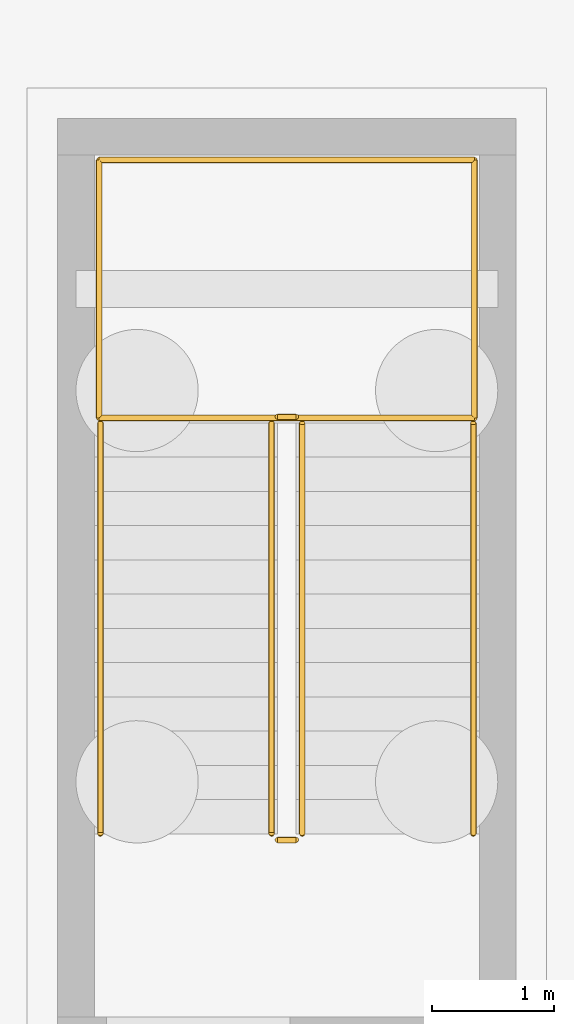
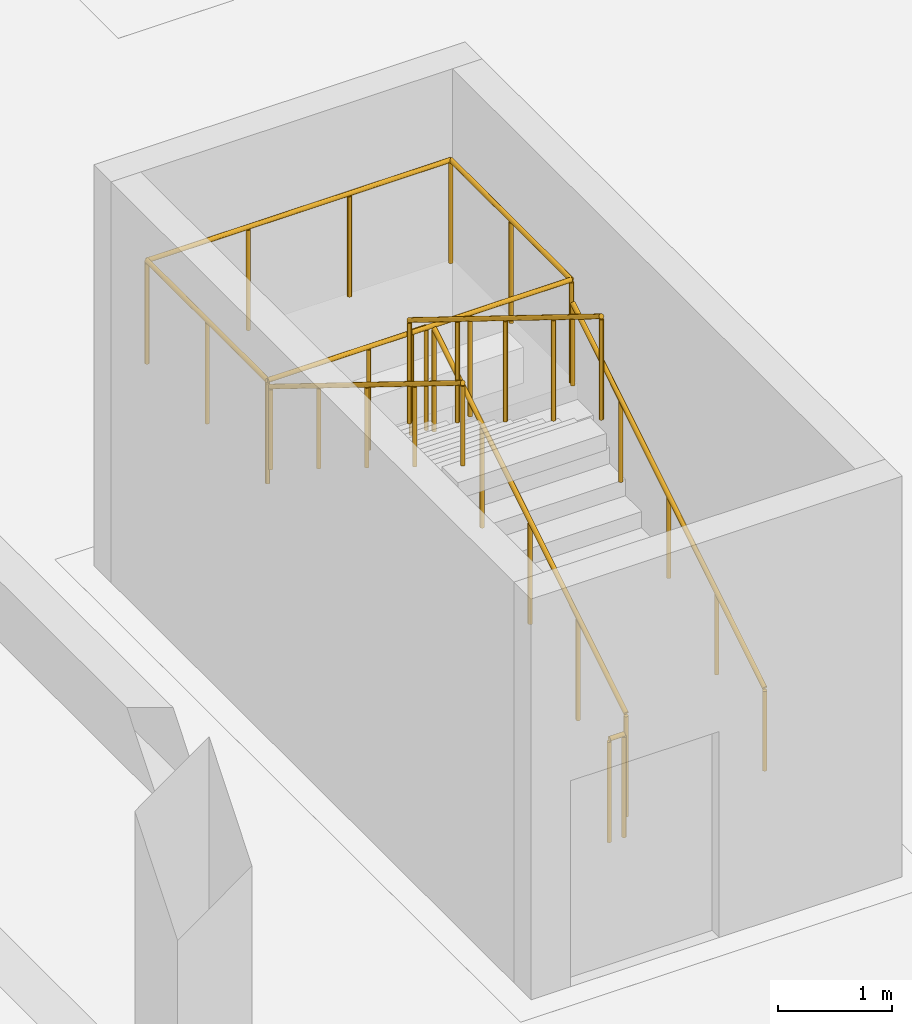
# One storey, part 23 of 28: 8 railings.
"""IFC4 building model written with IfcOpenShell, lengths in metres."""

from ifc_helpers import new_model, si_unit, direction, frame, origin, origin_2d, place, context, subcontext, project, spatial, circle, extrude, material, type_object, element, save


model = new_model("IFC4")

# Units and contexts
model_context = context("Model", 3, precision=1e-05, world=origin(), true_north=direction((0.0, 1.0)))
body_context = subcontext(model_context, "Body", "Model", "MODEL_VIEW")
ifc_project = project(units=[si_unit("LENGTHUNIT", "METRE"), si_unit("AREAUNIT", "SQUARE_METRE"), si_unit("VOLUMEUNIT", "CUBIC_METRE"), si_unit("PLANEANGLEUNIT", "RADIAN"), si_unit("MASSUNIT", "GRAM", prefix="KILO")], contexts=[model_context])

# Site, building, storey
site_placement = place(None, origin())
site = spatial("IfcSite", under=ifc_project, at=site_placement, CompositionType="ELEMENT")
building_placement = place(site_placement, origin())
building = spatial("IfcBuilding", under=site, at=building_placement, Name="Miralva Faculty of Natural Sciences", CompositionType="ELEMENT")
storey_placement = place(building_placement, frame((0.0, 0.0, -4.5)))
storey = spatial("IfcBuildingStorey", under=building, at=storey_placement, Name="B1", CompositionType="ELEMENT", Elevation=-4.5)

# Railings
ifc_material = material(Name="Steel S355", Category="steel")
railing_type_1 = type_object("IfcRailingType", Name="RL-GR01", PredefinedType="GUARDRAIL", material=ifc_material)
railing_1_placement = place(storey_placement, frame((62.10009765625, 20.300048828125, 0.173095703125)))
element("IfcRailing", 1, at=railing_1_placement, inside=storey, type_object=railing_type_1, Name="Stair Core C6 safety guard B1-1", PredefinedType="GUARDRAIL", context=body_context, shape_type="SweptSolid", body=[
    extrude(circle(Radius=0.02392578125, at=origin_2d()), frame((0.0, 0.0, 1.09619140625), z_axis=(0.0, 0.850606129759, 0.525803396734), x_axis=(-1.0, 0.0, 0.0)), (0.0, 0.0, 1.0), 3.949951171875),
    extrude(circle(Radius=0.02099609375, at=origin_2d()), origin(), (0.0, 0.0, 1.0), 1.072021484375),
    extrude(circle(Radius=0.02099609375, at=origin_2d()), frame((0.0, 0.83984375, 0.519287109375)), (0.0, 0.0, 1.0), 1.072021484375),
    extrude(circle(Radius=0.02099609375, at=origin_2d()), frame((0.0, 1.679931640625, 1.03857421875)), (0.0, 0.0, 1.0), 1.072021484375),
    extrude(circle(Radius=0.02099609375, at=origin_2d()), frame((0.0, 2.52001953125, 1.5576171875)), (0.0, 0.0, 1.0), 1.072021484375),
    extrude(circle(Radius=0.02099609375, at=origin_2d()), frame((0.0, 3.35986328125, 2.076904296875)), (0.0, 0.0, 1.0), 1.072021484375),
])
railing_2_placement = place(storey_placement, frame((62.050048828125, 23.7099609375, 2.25)))
element("IfcRailing", 2, at=railing_2_placement, inside=storey, type_object=railing_type_1, Name="Stair Core C6 safety guard B1-2", PredefinedType="GUARDRAIL", context=body_context, shape_type="SweptSolid", body=[
    extrude(circle(Radius=0.02392578125, at=origin_2d()), frame((0.0, 0.0, 1.09619140625), z_axis=(-1.0, 0.0, 0.0), x_axis=(0.0, -1.0, 0.0)), (0.0, 0.0, 1.0), 0.150146484375),
    extrude(circle(Radius=0.02099609375, at=origin_2d()), origin(), (0.0, 0.0, 1.0), 1.072021484375),
    extrude(circle(Radius=0.02099609375, at=origin_2d()), frame((-0.150146484375, 0.0, 0.0)), (0.0, 0.0, 1.0), 1.072021484375),
])
railing_3_placement = place(storey_placement, frame((61.85009765625, 23.659912109375, 2.423095703125)))
element("IfcRailing", 3, at=railing_3_placement, inside=storey, type_object=railing_type_1, Name="Stair Core C6 safety guard B1-3", PredefinedType="GUARDRAIL", context=body_context, shape_type="SweptSolid", body=[
    extrude(circle(Radius=0.02392578125, at=origin_2d()), frame((0.0, 0.0, 1.09619140625), z_axis=(0.0, -0.850606129759, 0.525803396734), x_axis=(1.0, 0.0, 0.0)), (0.0, 0.0, 1.0), 3.949951171875),
    extrude(circle(Radius=0.02099609375, at=origin_2d()), origin(), (0.0, 0.0, 1.0), 1.072021484375),
    extrude(circle(Radius=0.02099609375, at=origin_2d()), frame((0.0, -0.83984375, 0.519287109375)), (0.0, 0.0, 1.0), 1.072021484375),
    extrude(circle(Radius=0.02099609375, at=origin_2d()), frame((0.0, -1.679931640625, 1.03857421875)), (0.0, 0.0, 1.0), 1.072021484375),
    extrude(circle(Radius=0.02099609375, at=origin_2d()), frame((0.0, -2.52001953125, 1.5576171875)), (0.0, 0.0, 1.0), 1.072021484375),
    extrude(circle(Radius=0.02099609375, at=origin_2d()), frame((0.0, -3.35986328125, 2.076904296875)), (0.0, 0.0, 1.0), 1.072021484375),
])
railing_4_placement = place(storey_placement, frame((62.050048828125, 20.25, 0.0)))
element("IfcRailing", 4, at=railing_4_placement, inside=storey, type_object=railing_type_1, Name="Stair Core C6 safety guard B1-4", PredefinedType="GUARDRAIL", context=body_context, shape_type="SweptSolid", body=[
    extrude(circle(Radius=0.02392578125, at=origin_2d()), frame((0.0, 0.0, 1.09619140625), z_axis=(-1.0, 0.0, 0.0), x_axis=(0.0, -1.0, 0.0)), (0.0, 0.0, 1.0), 0.150146484375),
    extrude(circle(Radius=0.02099609375, at=origin_2d()), origin(), (0.0, 0.0, 1.0), 1.072021484375),
    extrude(circle(Radius=0.02099609375, at=origin_2d()), frame((-0.150146484375, 0.0, 0.0)), (0.0, 0.0, 1.0), 1.072021484375),
])
railing_5_placement = place(storey_placement, frame((60.43994140625, 23.699951171875, 2.25)))
element("IfcRailing", 5, at=railing_5_placement, inside=storey, type_object=railing_type_1, Name="Stair Core C6 half-landing guard B1-1A", PredefinedType="GUARDRAIL", context=body_context, shape_type="SweptSolid", body=[
    extrude(circle(Radius=0.02392578125, at=origin_2d()), frame((0.0, 0.0, 1.09619140625), z_axis=(0.0, 1.0, 0.0), x_axis=(-1.0, 0.0, 0.0)), (0.0, 0.0, 1.0), 2.110107421875),
    extrude(circle(Radius=0.02392578125, at=origin_2d()), frame((0.0, 2.110107421875, 1.09619140625), z_axis=(1.0, 0.0, 0.0), x_axis=(0.0, 1.0, 0.0)), (0.0, 0.0, 1.0), 3.070068359375),
    extrude(circle(Radius=0.02099609375, at=origin_2d()), origin(), (0.0, 0.0, 1.0), 1.072021484375),
    extrude(circle(Radius=0.02099609375, at=origin_2d()), frame((0.0, 1.05517578125, 0.0)), (0.0, 0.0, 1.0), 1.072021484375),
    extrude(circle(Radius=0.02099609375, at=origin_2d()), frame((0.0, 2.110107421875, 0.0)), (0.0, 0.0, 1.0), 1.072021484375),
    extrude(circle(Radius=0.02099609375, at=origin_2d()), frame((1.0234375, 2.110107421875, 0.0)), (0.0, 0.0, 1.0), 1.072021484375),
    extrude(circle(Radius=0.02099609375, at=origin_2d()), frame((2.046630859375, 2.110107421875, 0.0)), (0.0, 0.0, 1.0), 1.072021484375),
    extrude(circle(Radius=0.02099609375, at=origin_2d()), frame((3.070068359375, 2.110107421875, 0.0)), (0.0, 0.0, 1.0), 1.072021484375),
])
railing_6_placement = place(storey_placement, frame((63.510009765625, 25.81005859375, 2.25)))
element("IfcRailing", 6, at=railing_6_placement, inside=storey, type_object=railing_type_1, Name="Stair Core C6 half-landing guard B1-1B", PredefinedType="GUARDRAIL", context=body_context, shape_type="SweptSolid", body=[
    extrude(circle(Radius=0.02392578125, at=origin_2d()), frame((0.0, 0.0, 1.09619140625), z_axis=(0.0, -1.0, 0.0), x_axis=(1.0, 0.0, 0.0)), (0.0, 0.0, 1.0), 2.110107421875),
    extrude(circle(Radius=0.02392578125, at=origin_2d()), frame((0.0, -2.110107421875, 1.09619140625), z_axis=(-1.0, 0.0, 0.0), x_axis=(0.0, -1.0, 0.0)), (0.0, 0.0, 1.0), 3.070068359375),
    extrude(circle(Radius=0.02099609375, at=origin_2d()), origin(), (0.0, 0.0, 1.0), 1.072021484375),
    extrude(circle(Radius=0.02099609375, at=origin_2d()), frame((0.0, -1.05517578125, 0.0)), (0.0, 0.0, 1.0), 1.072021484375),
    extrude(circle(Radius=0.02099609375, at=origin_2d()), frame((0.0, -2.110107421875, 0.0)), (0.0, 0.0, 1.0), 1.072021484375),
    extrude(circle(Radius=0.02099609375, at=origin_2d()), frame((-1.0234375, -2.110107421875, 0.0)), (0.0, 0.0, 1.0), 1.072021484375),
    extrude(circle(Radius=0.02099609375, at=origin_2d()), frame((-2.046630859375, -2.110107421875, 0.0)), (0.0, 0.0, 1.0), 1.072021484375),
    extrude(circle(Radius=0.02099609375, at=origin_2d()), frame((-3.070068359375, -2.110107421875, 0.0)), (0.0, 0.0, 1.0), 1.072021484375),
])
railing_type_2 = type_object("IfcRailingType", Name="RL-HR01", PredefinedType="HANDRAIL", material=ifc_material)
railing_7_placement = place(storey_placement, frame((63.5, 20.300048828125, 0.173095703125)))
element("IfcRailing", 7, at=railing_7_placement, inside=storey, type_object=railing_type_2, Name="Stair Core C6 handrail B1-1", PredefinedType="HANDRAIL", context=body_context, shape_type="SweptSolid", body=[
    extrude(circle(Radius=0.02392578125, at=origin_2d()), frame((0.0, 0.0, 0.8759765625), z_axis=(0.0, 0.850606129759, 0.525803396734), x_axis=(-1.0, 0.0, 0.0)), (0.0, 0.0, 1.0), 3.949951171875),
    extrude(circle(Radius=0.02099609375, at=origin_2d()), origin(), (0.0, 0.0, 1.0), 0.851806640625),
    extrude(circle(Radius=0.02099609375, at=origin_2d()), frame((0.0, 0.83984375, 0.519287109375)), (0.0, 0.0, 1.0), 0.851806640625),
    extrude(circle(Radius=0.02099609375, at=origin_2d()), frame((0.0, 1.679931640625, 1.03857421875)), (0.0, 0.0, 1.0), 0.851806640625),
    extrude(circle(Radius=0.02099609375, at=origin_2d()), frame((0.0, 2.52001953125, 1.5576171875)), (0.0, 0.0, 1.0), 0.851806640625),
    extrude(circle(Radius=0.02099609375, at=origin_2d()), frame((0.0, 3.35986328125, 2.076904296875)), (0.0, 0.0, 1.0), 0.851806640625),
])
railing_8_placement = place(storey_placement, frame((60.449951171875, 23.659912109375, 2.423095703125)))
element("IfcRailing", 8, at=railing_8_placement, inside=storey, type_object=railing_type_2, Name="Stair Core C6 handrail B1-2", PredefinedType="HANDRAIL", context=body_context, shape_type="SweptSolid", body=[
    extrude(circle(Radius=0.02392578125, at=origin_2d()), frame((0.0, 0.0, 0.8759765625), z_axis=(0.0, -0.850606129759, 0.525803396734), x_axis=(1.0, 0.0, 0.0)), (0.0, 0.0, 1.0), 3.949951171875),
    extrude(circle(Radius=0.02099609375, at=origin_2d()), origin(), (0.0, 0.0, 1.0), 0.851806640625),
    extrude(circle(Radius=0.02099609375, at=origin_2d()), frame((0.0, -0.83984375, 0.519287109375)), (0.0, 0.0, 1.0), 0.851806640625),
    extrude(circle(Radius=0.02099609375, at=origin_2d()), frame((0.0, -1.679931640625, 1.03857421875)), (0.0, 0.0, 1.0), 0.851806640625),
    extrude(circle(Radius=0.02099609375, at=origin_2d()), frame((0.0, -2.52001953125, 1.5576171875)), (0.0, 0.0, 1.0), 0.851806640625),
    extrude(circle(Radius=0.02099609375, at=origin_2d()), frame((0.0, -3.35986328125, 2.076904296875)), (0.0, 0.0, 1.0), 0.851806640625),
])

save(model, "model.ifc")
